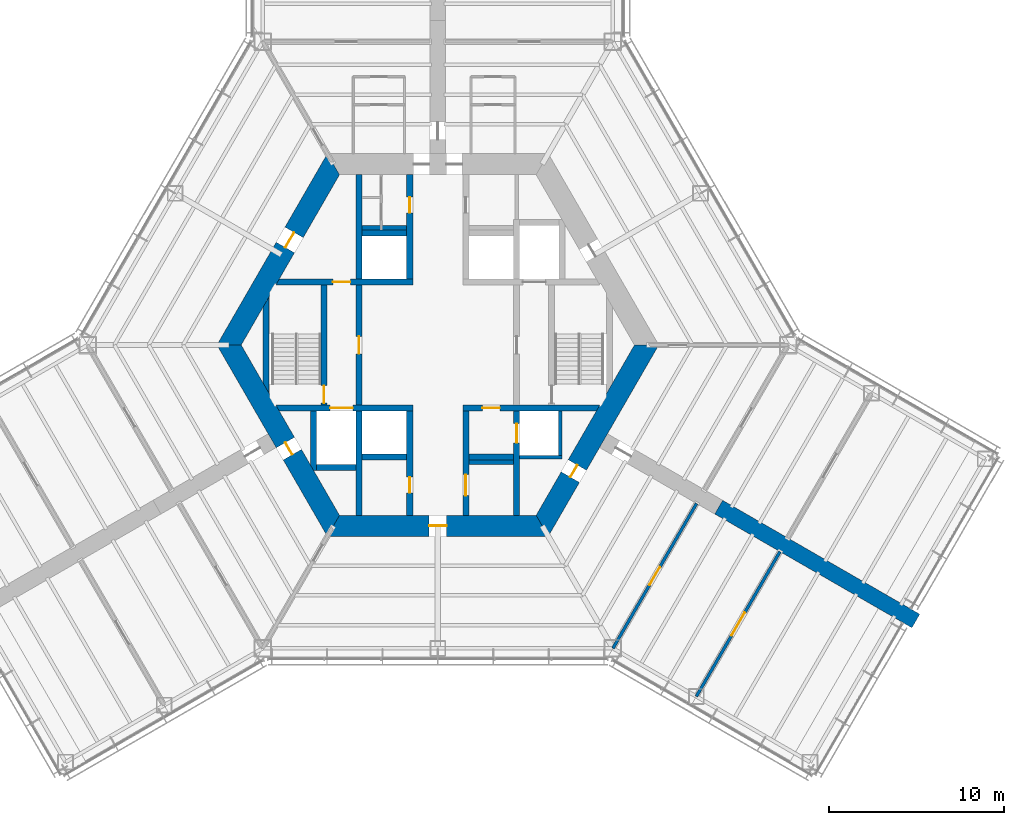
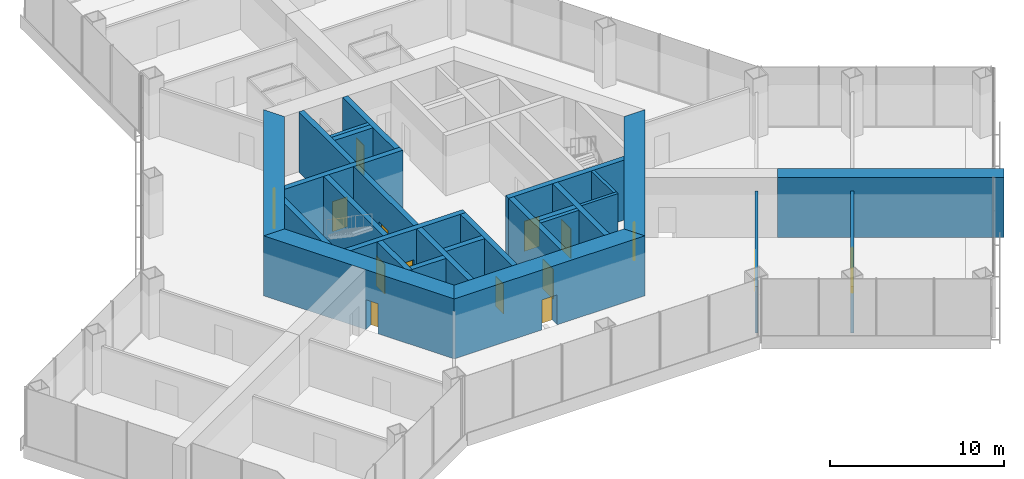
# One storey, part 11 of 15: 28 walls, 15 doors, 15 openings.
"""IFC4 building model written with IfcOpenShell, lengths in metres."""

import ifcopenshell
import ifcopenshell.guid

model = None  # the IFC model being written
_history = None  # IfcOwnerHistory: only IFC2X3 demands one
_inside = {}  # id of a spatial element -> (the spatial element, [elements in it])
_under = {}  # id of a project, library or spatial element -> (it, [spatial elements below it])
_declared = {}  # id of a project -> (the project, [libraries it declares])
_typed = {}  # id of a type object -> (the type object, [elements of that type])
_made_of = {}  # id of a material, layer set ... -> (it, [elements and type objects made of it])


def new_model(schema):
    """Start an empty IFC model of exactly this schema.

    Asked for "IFC4X3", IfcOpenShell would pick the latest addendum, in which some entities
    have other attributes; the version numbers below select the first issue.
    IFC2X3 requires an IfcOwnerHistory on every rooted entity: one is made here for all.
    """
    global model, _history
    if schema == "IFC4X3":
        model = ifcopenshell.file(schema_version=(4, 3, 0, 0))
    else:
        model = ifcopenshell.file(schema=schema)
    _inside.clear()
    _under.clear()
    _declared.clear()
    _typed.clear()
    _made_of.clear()
    _history = None
    if model.schema == "IFC2X3":
        org = make("IfcOrganization", Name="unknown")
        user = make(
            "IfcPersonAndOrganization",
            ThePerson=make("IfcPerson", FamilyName="unknown"),
            TheOrganization=org,
        )
        app = make(
            "IfcApplication",
            ApplicationDeveloper=org,
            Version="unknown",
            ApplicationFullName="unknown",
            ApplicationIdentifier="unknown",
        )
        _history = make(
            "IfcOwnerHistory",
            OwningUser=user,
            OwningApplication=app,
            ChangeAction="ADDED",
            CreationDate=0,
        )
    return model


def make(cls, **values):
    """One entity of the class cls with the attributes given. An attribute that is None is left unset."""
    return model.create_entity(
        cls, **{name: value for name, value in values.items() if value is not None}
    )


def rooted(cls, **values):
    """An entity with a GlobalId (a new one), such as an element, a storey or a relation."""
    return make(cls, GlobalId=ifcopenshell.guid.new(), OwnerHistory=_history, **values)


def si_unit(unit_type, name, prefix=None):
    """IfcSIUnit, for example si_unit("LENGTHUNIT", "METRE", prefix="MILLI")."""
    return make("IfcSIUnit", UnitType=unit_type, Prefix=prefix, Name=name)


def assignment(units):
    """IfcUnitAssignment: the units of a project."""
    return None if units is None else make("IfcUnitAssignment", Units=units)


def point(xyz):
    """IfcCartesianPoint."""
    return None if xyz is None else make("IfcCartesianPoint", Coordinates=xyz)


def direction(xyz):
    """IfcDirection."""
    return None if xyz is None else make("IfcDirection", DirectionRatios=xyz)


def frame(location, z_axis=None, x_axis=None):
    """IfcAxis2Placement3D, a coordinate frame: its origin and axes. An axis left out is left unset."""
    return make(
        "IfcAxis2Placement3D",
        Location=point(location),
        Axis=direction(z_axis),
        RefDirection=direction(x_axis),
    )


def frame_2d(location, x_axis=None):
    """IfcAxis2Placement2D, a coordinate frame in the plane: its origin and x axis."""
    return make(
        "IfcAxis2Placement2D", Location=point(location), RefDirection=direction(x_axis)
    )


def origin():
    """The frame at (0, 0, 0) with its axes left unset."""
    return frame((0.0, 0.0, 0.0))


def place(relative_to, where):
    """IfcLocalPlacement: puts the frame where relative to a parent placement (None: the world)."""
    return make(
        "IfcLocalPlacement", PlacementRelTo=relative_to, RelativePlacement=where
    )


def context(
    kind, dimensions, precision=None, world=None, true_north=None, identifier=None
):
    """IfcGeometricRepresentationContext, for example the 3D "Model" context."""
    return make(
        "IfcGeometricRepresentationContext",
        ContextIdentifier=identifier,
        ContextType=kind,
        CoordinateSpaceDimension=dimensions,
        Precision=precision,
        WorldCoordinateSystem=world,
        TrueNorth=true_north,
    )


def subcontext(parent, identifier, kind, view, scale=None):
    """IfcGeometricRepresentationSubContext, for example "Body" below "Model"."""
    return make(
        "IfcGeometricRepresentationSubContext",
        ContextIdentifier=identifier,
        ContextType=kind,
        ParentContext=parent,
        TargetScale=scale,
        TargetView=view,
    )


def project(units=None, contexts=None):
    """IfcProject with its units and contexts."""
    return rooted(
        "IfcProject",
        Name="project",
        RepresentationContexts=contexts,
        UnitsInContext=assignment(units),
    )


def spatial(cls, under=None, at=None, **own):
    """A site, building, storey or space (cls), placed at a placement, below another one or the project."""
    s = rooted(cls, ObjectPlacement=at, **own)
    if under is not None:
        _under.setdefault(under.id(), (under, []))[1].append(s)
    return s


def polyline(points):
    """IfcPolyline through the points."""
    return make("IfcPolyline", Points=[point(p) for p in points])


def profile(cls, at=None, kind="AREA", **sizes):
    """A parametric profile (cls). Its sizes go by their IFC names, for example OverallWidth=200.0."""
    return make(cls, ProfileType=kind, Position=at, **sizes)


def rectangle(**sizes):
    """IfcRectangleProfileDef."""
    return profile("IfcRectangleProfileDef", **sizes)


def outline(outer, holes=None, kind="AREA"):
    """IfcArbitraryClosedProfileDef: a profile drawn as a closed curve; with holes, ...WithVoids."""
    if holes is None:
        return make("IfcArbitraryClosedProfileDef", ProfileType=kind, OuterCurve=outer)
    return make(
        "IfcArbitraryProfileDefWithVoids",
        ProfileType=kind,
        OuterCurve=outer,
        InnerCurves=holes,
    )


def extrude(swept, where, along, depth):
    """IfcExtrudedAreaSolid: the profile swept, set in the frame where, extruded along a direction by depth."""
    return make(
        "IfcExtrudedAreaSolid",
        SweptArea=swept,
        Position=where,
        ExtrudedDirection=direction(along),
        Depth=depth,
    )


def shape(context_of_items, identifier, shape_type, items):
    """IfcShapeRepresentation: the items that make up one representation, for example the "Body"."""
    return make(
        "IfcShapeRepresentation",
        ContextOfItems=context_of_items,
        RepresentationIdentifier=identifier,
        RepresentationType=shape_type,
        Items=items,
    )


def material(Name=None, Category=None):
    """IfcMaterial."""
    return make("IfcMaterial", Name=Name, Category=Category)


def layer(
    of_material, thickness, ventilated=None, Name=None, Category=None, Priority=None
):
    """IfcMaterialLayer: one layer of a wall or slab, of a material (None: an air gap)."""
    return make(
        "IfcMaterialLayer",
        Material=of_material,
        LayerThickness=thickness,
        IsVentilated=ventilated,
        Name=Name,
        Category=Category,
        Priority=Priority,
    )


def layer_set(layers, Name=None):
    """IfcMaterialLayerSet."""
    return make("IfcMaterialLayerSet", MaterialLayers=layers, LayerSetName=Name)


def made_of(thing, what):
    """Note that an element or type object is made of a material, layer set ...; save() writes the relation."""
    if what is not None:
        _made_of.setdefault(what.id(), (what, []))[1].append(thing)
    return thing


def type_object(cls, material=None, **own):
    """A type object (cls), such as IfcWallType, which elements share."""
    return made_of(rooted(cls, **own), material)


def element(
    cls,
    number,
    at=None,
    inside=None,
    cuts=None,
    type_object=None,
    material=None,
    context=None,
    identifier="Body",
    shape_type=None,
    held_by="IfcProductDefinitionShape",
    body=None,
    shapes=None,
    **own,
):
    """One element of the class cls, such as IfcWall. Its Tag is "e" and its number.

    at: its placement. inside: the storey or other place that contains it. cuts: it is an
    opening in that element (IfcRelVoidsElement). A single representation is given by context,
    identifier, shape_type and body (its items); several are given by shapes. held_by: the class
    of the entity that holds the representations. save() writes the other relations.
    """
    e = rooted(cls, Tag="e%d" % number, ObjectPlacement=at, **own)
    if body is not None:
        shapes = [shape(context, identifier, shape_type, body)]
    if shapes is not None:
        e.Representation = make(held_by, Representations=shapes)
    if inside is not None:
        _inside.setdefault(inside.id(), (inside, []))[1].append(e)
    if cuts is not None:
        rooted(
            "IfcRelVoidsElement", RelatingBuildingElement=cuts, RelatedOpeningElement=e
        )
    if type_object is not None:
        _typed.setdefault(type_object.id(), (type_object, []))[1].append(e)
    return made_of(e, material)


def fill(opening, filler):
    """IfcRelFillsElement: the door or window that sits in an opening."""
    return rooted(
        "IfcRelFillsElement",
        RelatingOpeningElement=opening,
        RelatedBuildingElement=filler,
    )


def aggregate(whole, parts):
    """IfcRelAggregates: a whole, such as a stair, and the parts it consists of."""
    return rooted("IfcRelAggregates", RelatingObject=whole, RelatedObjects=parts)


def save(model, path):
    """Write the relations noted so far, then the file.

    IfcRelAggregates (storeys below a building ...), IfcRelContainedInSpatialStructure (elements
    in a storey), IfcRelDefinesByType, IfcRelAssociatesMaterial and IfcRelDeclares: one each for
    every whole, place, type object, material and project.
    """
    for whole, parts in _under.values():
        aggregate(whole, parts)
    for where, things in _inside.values():
        rooted(
            "IfcRelContainedInSpatialStructure",
            RelatedElements=things,
            RelatingStructure=where,
        )
    for kind, things in _typed.values():
        rooted("IfcRelDefinesByType", RelatedObjects=things, RelatingType=kind)
    for what, things in _made_of.values():
        rooted("IfcRelAssociatesMaterial", RelatedObjects=things, RelatingMaterial=what)
    for by, libraries in _declared.values():
        rooted("IfcRelDeclares", RelatingContext=by, RelatedDefinitions=libraries)
    model.write(path)


model = new_model("IFC4")

# Units and contexts
model_context = context("Model", 3, precision=1e-05, world=origin(), true_north=direction((0.0, 1.0)))
body_context = subcontext(model_context, "Body", "Model", "MODEL_VIEW")
ifc_project = project(units=[si_unit("LENGTHUNIT", "METRE"), si_unit("AREAUNIT", "SQUARE_METRE"), si_unit("VOLUMEUNIT", "CUBIC_METRE"), si_unit("PLANEANGLEUNIT", "RADIAN"), si_unit("MASSUNIT", "GRAM", prefix="KILO")], contexts=[model_context])

# Site, building, storey
site_placement = place(None, origin())
site = spatial("IfcSite", under=ifc_project, at=site_placement, CompositionType="ELEMENT")
building_placement = place(site_placement, origin())
building = spatial("IfcBuilding", under=site, at=building_placement, Name="Kasaneha Research Tower", CompositionType="ELEMENT")
storey_placement = place(building_placement, frame((0.0, 0.0, 35.199951171875)))
storey = spatial("IfcBuildingStorey", under=building, at=storey_placement, Name="L09", CompositionType="ELEMENT", Elevation=35.199951171875)

# Wall, opening, door
ifc_material_1 = material(Name="Concrete Fc100", Category="concrete")
ifc_layer_1 = layer(ifc_material_1, 0.35009765625)
ifc_layer_set_1 = layer_set([ifc_layer_1], Name="Core internal wall 350 Fc100")
wall_type_1 = type_object("IfcWallType", Name="Core internal wall 350 Fc100", PredefinedType="SHEAR", material=ifc_layer_set_1)
wall_1_placement = place(storey_placement, frame((-9.151123046875, 3.60009765625, 0.0), z_axis=(0.0, 0.0, 1.0), x_axis=(1.0, 0.0, 0.0)))
wall_1 = element("IfcWall", 1, at=wall_1_placement, inside=storey, type_object=wall_type_1, Name="Core wall W1W L09", PredefinedType="SHEAR", context=body_context, shape_type="SweptSolid", body=[
    extrude(outline(polyline([(-0.10107421875, -0.175048828125), (3.151123046875, -0.175048828125), (4.151123046875, -0.175048828125), (7.72607421875, -0.175048828125), (7.72607421875, 0.175048828125), (4.151123046875, 0.175048828125), (3.151123046875, 0.175048828125), (0.10107421875, 0.175048828125), (-0.10107421875, -0.175048828125)])), origin(), (0.0, 0.0, 1.0), 4.199951171875),
])
opening_1_placement = place(wall_1_placement, frame((3.151123046875, 0.0, 0.0)))
opening_1 = element("IfcOpeningElement", 2, at=opening_1_placement, cuts=wall_1, Name="Opening L09-D12", PredefinedType="OPENING", context=body_context, shape_type="SweptSolid", body=[
    extrude(rectangle(XDim=1.0, YDim=2.10009765625, at=frame_2d((0.5, 1.050048828125))), frame((0.0, 0.18505859375, 0.0), z_axis=(0.0, -1.0, 0.0), x_axis=(1.0, 0.0, 0.0)), (0.0, 0.0, 1.0), 0.3701171875),
])
ifc_material_2 = material(Name="Steel", Category="steel")
door_type_1 = type_object("IfcDoorType", Name="Specified fire door FD60 1000x2100", OperationType="NOTDEFINED", PredefinedType="DOOR", material=ifc_material_2)
door_1_placement = place(opening_1_placement, origin())
door_1 = element("IfcDoor", 3, at=door_1_placement, inside=storey, type_object=door_type_1, Name="Vestibule to lobby door L09-D12", OperationType="SINGLE_SWING_LEFT", OverallHeight=2.10009765625, OverallWidth=1.0, PredefinedType="DOOR", context=body_context, shape_type="SweptSolid", body=[
    extrude(rectangle(XDim=1.0, YDim=2.10009765625, at=frame_2d((0.5, 1.050048828125))), frame((0.0, 0.02490234375, 0.0), z_axis=(0.0, -1.0, 0.0), x_axis=(1.0, 0.0, 0.0)), (0.0, 0.0, 1.0), 0.050048828125),
])
fill(opening_1, door_1)

wall_2_placement = place(storey_placement, frame((-9.151123046875, -3.60009765625, 0.0), z_axis=(0.0, 0.0, 1.0), x_axis=(1.0, 0.0, 0.0)))
wall_2 = element("IfcWall", 4, at=wall_2_placement, inside=storey, type_object=wall_type_1, Name="Core wall W2W L09", PredefinedType="SHEAR", context=body_context, shape_type="SweptSolid", body=[
    extrude(outline(polyline([(0.10107421875, -0.175048828125), (3.0009765625, -0.175048828125), (4.301025390625, -0.175048828125), (7.72607421875, -0.175048828125), (7.72607421875, 0.175048828125), (4.301025390625, 0.175048828125), (3.0009765625, 0.175048828125), (-0.10107421875, 0.175048828125), (0.10107421875, -0.175048828125)])), origin(), (0.0, 0.0, 1.0), 4.199951171875),
])
opening_2_placement = place(wall_2_placement, frame((3.0009765625, 0.0, 0.0)))
opening_2 = element("IfcOpeningElement", 5, at=opening_2_placement, cuts=wall_2, Name="Opening LD-FL2-L09", PredefinedType="OPENING", context=body_context, shape_type="SweptSolid", body=[
    extrude(rectangle(XDim=1.300048828125, YDim=2.10009765625, at=frame_2d((0.64990234375, 1.050048828125))), frame((0.0, 0.18505859375, 0.0), z_axis=(0.0, -1.0, 0.0), x_axis=(1.0, 0.0, 0.0)), (0.0, 0.0, 1.0), 0.3701171875),
])
ifc_material_3 = material(Name="Steel", Category="steel")
door_type_2 = type_object("IfcDoorType", Name="Lift landing door 1300x2100", OperationType="DOUBLE_DOOR_SLIDING", PredefinedType="DOOR", material=ifc_material_3)
door_2_placement = place(opening_2_placement, origin())
door_2 = element("IfcDoor", 6, at=door_2_placement, inside=storey, type_object=door_type_2, Name="Landing door FL2 LD-FL2-L09", OperationType="DOUBLE_DOOR_SLIDING", OverallHeight=2.10009765625, OverallWidth=1.300048828125, PredefinedType="DOOR", context=body_context, shape_type="SweptSolid", body=[
    extrude(rectangle(XDim=1.300048828125, YDim=2.10009765625, at=frame_2d((0.64990234375, 1.050048828125))), frame((0.0, 0.02490234375, 0.0), z_axis=(0.0, -1.0, 0.0), x_axis=(1.0, 0.0, 0.0)), (0.0, 0.0, 1.0), 0.050048828125),
])
fill(opening_2, door_2)

wall_3_placement = place(storey_placement, frame((1.425048828125, -3.60009765625, 0.0), z_axis=(0.0, 0.0, 1.0), x_axis=(1.0, 0.0, 0.0)))
wall_3 = element("IfcWall", 7, at=wall_3_placement, inside=storey, type_object=wall_type_1, Name="Core wall W2E L09", PredefinedType="SHEAR", context=body_context, shape_type="SweptSolid", body=[
    extrude(outline(polyline([(0.0, -0.175048828125), (1.125, -0.175048828125), (2.125, -0.175048828125), (7.625, -0.175048828125), (7.8271484375, 0.175048828125), (2.125, 0.175048828125), (1.125, 0.175048828125), (0.0, 0.175048828125), (0.0, -0.175048828125)])), origin(), (0.0, 0.0, 1.0), 4.199951171875),
])
opening_3_placement = place(wall_3_placement, frame((1.125, 0.0, 0.0)))
opening_3 = element("IfcOpeningElement", 8, at=opening_3_placement, cuts=wall_3, Name="Opening L09-LV", PredefinedType="OPENING", context=body_context, shape_type="SweptSolid", body=[
    extrude(rectangle(XDim=1.0, YDim=2.10009765625, at=frame_2d((0.5, 1.050048828125))), frame((0.0, 0.18505859375, 0.0), z_axis=(0.0, -1.0, 0.0), x_axis=(1.0, 0.0, 0.0)), (0.0, 0.0, 1.0), 0.3701171875),
])
door_3_placement = place(opening_3_placement, origin())
door_3 = element("IfcDoor", 9, at=door_3_placement, inside=storey, type_object=door_type_1, Name="Podium vestibule door L09-LV", OperationType="SINGLE_SWING_LEFT", OverallHeight=2.10009765625, OverallWidth=1.0, PredefinedType="DOOR", context=body_context, shape_type="SweptSolid", body=[
    extrude(rectangle(XDim=1.0, YDim=2.10009765625, at=frame_2d((0.5, 1.050048828125))), frame((0.0, 0.02490234375, 0.0), z_axis=(0.0, -1.0, 0.0), x_axis=(1.0, 0.0, 0.0)), (0.0, 0.0, 1.0), 0.050048828125),
])
fill(opening_3, door_3)

wall_4_placement = place(storey_placement, frame((-1.60009765625, 3.77490234375, 0.0), z_axis=(0.0, 0.0, 1.0), x_axis=(0.0, 1.0, 0.0)))
wall_4 = element("IfcWall", 10, at=wall_4_placement, inside=storey, type_object=wall_type_1, Name="Core wall CNW L09", PredefinedType="SHEAR", context=body_context, shape_type="SweptSolid", body=[
    extrude(rectangle(XDim=5.9501953125, YDim=0.35009765625, at=frame_2d((2.97509765625, 0.0))), origin(), (0.0, 0.0, 1.0), 4.199951171875),
])
opening_4_placement = place(wall_4_placement, frame((3.77490234375, 0.0, 0.0)))
opening_4 = element("IfcOpeningElement", 11, at=opening_4_placement, cuts=wall_4, Name="Opening L09-D13", PredefinedType="OPENING", context=body_context, shape_type="SweptSolid", body=[
    extrude(rectangle(XDim=0.89990234375, YDim=2.10009765625, at=frame_2d((0.449951171875, 1.050048828125))), frame((0.0, 0.18505859375, 0.0), z_axis=(0.0, -1.0, 0.0), x_axis=(1.0, 0.0, 0.0)), (0.0, 0.0, 1.0), 0.3701171875),
])
ifc_material_4 = material(Name="Steel", Category="steel")
door_type_3 = type_object("IfcDoorType", Name="Toilet door FD20 900x2100", OperationType="NOTDEFINED", PredefinedType="DOOR", material=ifc_material_4)
door_4_placement = place(opening_4_placement, origin())
door_4 = element("IfcDoor", 12, at=door_4_placement, inside=storey, type_object=door_type_3, Name="Men's WC door L09-D13", OperationType="SINGLE_SWING_LEFT", OverallHeight=2.10009765625, OverallWidth=0.89990234375, PredefinedType="DOOR", context=body_context, shape_type="SweptSolid", body=[
    extrude(rectangle(XDim=0.89990234375, YDim=2.10009765625, at=frame_2d((0.449951171875, 1.050048828125))), frame((0.0, 0.02490234375, 0.0), z_axis=(0.0, -1.0, 0.0), x_axis=(1.0, 0.0, 0.0)), (0.0, 0.0, 1.0), 0.050048828125),
])
fill(opening_4, door_4)

wall_5_placement = place(storey_placement, frame((-1.60009765625, -3.77490234375, 0.0), z_axis=(0.0, 0.0, 1.0), x_axis=(0.0, -1.0, 0.0)))
wall_5 = element("IfcWall", 13, at=wall_5_placement, inside=storey, type_object=wall_type_1, Name="Core wall CSW L09", PredefinedType="SHEAR", context=body_context, shape_type="SweptSolid", body=[
    extrude(rectangle(XDim=5.9501953125, YDim=0.35009765625, at=frame_2d((2.97509765625, 0.0))), origin(), (0.0, 0.0, 1.0), 4.199951171875),
])
opening_5_placement = place(wall_5_placement, frame((3.77490234375, 0.0, 0.0)))
opening_5 = element("IfcOpeningElement", 14, at=opening_5_placement, cuts=wall_5, Name="Opening L09-D16", PredefinedType="OPENING", context=body_context, shape_type="SweptSolid", body=[
    extrude(rectangle(XDim=0.89990234375, YDim=2.10009765625, at=frame_2d((0.449951171875, 1.050048828125))), frame((0.0, 0.18505859375, 0.0), z_axis=(0.0, -1.0, 0.0), x_axis=(1.0, 0.0, 0.0)), (0.0, 0.0, 1.0), 0.3701171875),
])
ifc_material_5 = material(Name="Steel", Category="steel")
door_type_4 = type_object("IfcDoorType", Name="Riser access door FD60 900x2100", OperationType="NOTDEFINED", PredefinedType="DOOR", material=ifc_material_5)
door_5_placement = place(opening_5_placement, origin())
door_5 = element("IfcDoor", 15, at=door_5_placement, inside=storey, type_object=door_type_4, Name="Electrical riser door L09-D16", OperationType="SINGLE_SWING_LEFT", OverallHeight=2.10009765625, OverallWidth=0.89990234375, PredefinedType="DOOR", context=body_context, shape_type="SweptSolid", body=[
    extrude(rectangle(XDim=0.89990234375, YDim=2.10009765625, at=frame_2d((0.449951171875, 1.050048828125))), frame((0.0, 0.02490234375, 0.0), z_axis=(0.0, -1.0, 0.0), x_axis=(1.0, 0.0, 0.0)), (0.0, 0.0, 1.0), 0.050048828125),
])
fill(opening_5, door_5)

wall_6_placement = place(storey_placement, frame((1.60009765625, -3.77490234375, 0.0), z_axis=(0.0, 0.0, 1.0), x_axis=(0.0, -1.0, 0.0)))
wall_6 = element("IfcWall", 16, at=wall_6_placement, inside=storey, type_object=wall_type_1, Name="Core wall CSE L09", PredefinedType="SHEAR", context=body_context, shape_type="SweptSolid", body=[
    extrude(rectangle(XDim=5.9501953125, YDim=0.35009765625, at=frame_2d((2.97509765625, 0.0))), origin(), (0.0, 0.0, 1.0), 4.199951171875),
])
opening_6_placement = place(wall_6_placement, frame((3.625, 0.0, 0.0)))
opening_6 = element("IfcOpeningElement", 17, at=opening_6_placement, cuts=wall_6, Name="Opening L09-D15", PredefinedType="OPENING", context=body_context, shape_type="SweptSolid", body=[
    extrude(rectangle(XDim=1.199951171875, YDim=2.10009765625, at=frame_2d((0.60009765625, 1.050048828125))), frame((0.0, 0.18505859375, 0.0), z_axis=(0.0, -1.0, 0.0), x_axis=(1.0, 0.0, 0.0)), (0.0, 0.0, 1.0), 0.3701171875),
])
ifc_material_6 = material(Name="Steel", Category="steel")
door_type_5 = type_object("IfcDoorType", Name="Accessible toilet sliding door FD20 1200x2100", OperationType="SLIDING_TO_LEFT", PredefinedType="DOOR", material=ifc_material_6)
door_6_placement = place(opening_6_placement, origin())
door_6 = element("IfcDoor", 18, at=door_6_placement, inside=storey, type_object=door_type_5, Name="Accessible WC door L09-D15", OperationType="SLIDING_TO_LEFT", OverallHeight=2.10009765625, OverallWidth=1.199951171875, PredefinedType="DOOR", context=body_context, shape_type="SweptSolid", body=[
    extrude(rectangle(XDim=1.199951171875, YDim=2.10009765625, at=frame_2d((0.60009765625, 1.050048828125))), frame((0.0, 0.02490234375, 0.0), z_axis=(0.0, -1.0, 0.0), x_axis=(1.0, 0.0, 0.0)), (0.0, 0.0, 1.0), 0.050048828125),
])
fill(opening_6, door_6)

wall_7_placement = place(storey_placement, frame((-4.5, -3.425048828125, 0.0), z_axis=(0.0, 0.0, 1.0), x_axis=(0.0, 1.0, 0.0)))
wall_7 = element("IfcWall", 19, at=wall_7_placement, inside=storey, type_object=wall_type_1, Name="Core wall LBW L09", PredefinedType="SHEAR", context=body_context, shape_type="SweptSolid", body=[
    extrude(rectangle(XDim=6.85009765625, YDim=0.35009765625, at=frame_2d((3.425048828125, 0.0))), origin(), (0.0, 0.0, 1.0), 4.199951171875),
])
opening_7_placement = place(wall_7_placement, frame((2.925048828125, 0.0, 0.0)))
opening_7 = element("IfcOpeningElement", 20, at=opening_7_placement, cuts=wall_7, Name="Opening L09-D09", PredefinedType="OPENING", context=body_context, shape_type="SweptSolid", body=[
    extrude(rectangle(XDim=1.0, YDim=2.10009765625, at=frame_2d((0.5, 1.050048828125))), frame((0.0, 0.18505859375, 0.0), z_axis=(0.0, -1.0, 0.0), x_axis=(1.0, 0.0, 0.0)), (0.0, 0.0, 1.0), 0.3701171875),
])
door_7_placement = place(opening_7_placement, origin())
door_7 = element("IfcDoor", 21, at=door_7_placement, inside=storey, type_object=door_type_1, Name="Lift lobby door west L09-D09", OperationType="SINGLE_SWING_LEFT", OverallHeight=2.10009765625, OverallWidth=1.0, PredefinedType="DOOR", context=body_context, shape_type="SweptSolid", body=[
    extrude(rectangle(XDim=1.0, YDim=2.10009765625, at=frame_2d((0.5, 1.050048828125))), frame((0.0, 0.02490234375, 0.0), z_axis=(0.0, -1.0, 0.0), x_axis=(1.0, 0.0, 0.0)), (0.0, 0.0, 1.0), 0.050048828125),
])
fill(opening_7, door_7)

wall_8_placement = place(storey_placement, frame((-6.5, -3.425048828125, 0.0), z_axis=(0.0, 0.0, 1.0), x_axis=(0.0, 1.0, 0.0)))
wall_8 = element("IfcWall", 22, at=wall_8_placement, inside=storey, type_object=wall_type_1, Name="Core wall ANW L09", PredefinedType="SHEAR", context=body_context, shape_type="SweptSolid", body=[
    extrude(rectangle(XDim=6.85009765625, YDim=0.35009765625, at=frame_2d((3.425048828125, 0.0))), origin(), (0.0, 0.0, 1.0), 4.199951171875),
])
opening_8_placement = place(wall_8_placement, frame((0.10009765625, 0.0, 0.0)))
opening_8 = element("IfcOpeningElement", 23, at=opening_8_placement, cuts=wall_8, Name="Opening L09-D11", PredefinedType="OPENING", context=body_context, shape_type="SweptSolid", body=[
    extrude(rectangle(XDim=1.0, YDim=2.10009765625, at=frame_2d((0.5, 1.050048828125))), frame((0.0, 0.18505859375, 0.0), z_axis=(0.0, -1.0, 0.0), x_axis=(1.0, 0.0, 0.0)), (0.0, 0.0, 1.0), 0.3701171875),
])
door_8_placement = place(opening_8_placement, origin())
door_8 = element("IfcDoor", 24, at=door_8_placement, inside=storey, type_object=door_type_1, Name="Stair 2 door L09-D11", OperationType="SINGLE_SWING_LEFT", OverallHeight=2.10009765625, OverallWidth=1.0, PredefinedType="DOOR", context=body_context, shape_type="SweptSolid", body=[
    extrude(rectangle(XDim=1.0, YDim=2.10009765625, at=frame_2d((0.5, 1.050048828125))), frame((0.0, 0.02490234375, 0.0), z_axis=(0.0, -1.0, 0.0), x_axis=(1.0, 0.0, 0.0)), (0.0, 0.0, 1.0), 0.050048828125),
])
fill(opening_8, door_8)

# Walls
for number, where, z_axis, x_axis, name in (
    (25, (-4.5, 3.77490234375, 0.0), (0.0, 0.0, 1.0), (0.0, 1.0, 0.0), "Core wall VNW L09"),
    (26, (-4.5, -3.77490234375, 0.0), (0.0, 0.0, 1.0), (0.0, -1.0, 0.0), "Core wall SSW L09"),
):
    element("IfcWall", number, at=place(storey_placement, frame(where, z_axis=z_axis, x_axis=x_axis)), inside=storey, type_object=wall_type_1, Name=name, PredefinedType="SHEAR", context=body_context, shape_type="SweptSolid", body=[
        extrude(rectangle(XDim=5.9501953125, YDim=0.35009765625, at=frame_2d((2.97509765625, 0.0))), origin(), (0.0, 0.0, 1.0), 4.199951171875),
    ])

# Wall, opening, door
wall_9_placement = place(storey_placement, frame((4.5, -3.77490234375, 0.0), z_axis=(0.0, 0.0, 1.0), x_axis=(0.0, -1.0, 0.0)))
wall_9 = element("IfcWall", 27, at=wall_9_placement, inside=storey, type_object=wall_type_1, Name="Core wall SSE L09", PredefinedType="SHEAR", context=body_context, shape_type="SweptSolid", body=[
    extrude(rectangle(XDim=5.9501953125, YDim=0.35009765625, at=frame_2d((2.97509765625, 0.0))), origin(), (0.0, 0.0, 1.0), 4.199951171875),
])
opening_9_placement = place(wall_9_placement, frame((0.71240234375, 0.0, 0.0)))
opening_9 = element("IfcOpeningElement", 28, at=opening_9_placement, cuts=wall_9, Name="Opening LD-PL1-L09", PredefinedType="OPENING", context=body_context, shape_type="SweptSolid", body=[
    extrude(rectangle(XDim=1.10009765625, YDim=2.10009765625, at=frame_2d((0.550048828125, 1.050048828125))), frame((0.0, 0.18505859375, 0.0), z_axis=(0.0, -1.0, 0.0), x_axis=(1.0, 0.0, 0.0)), (0.0, 0.0, 1.0), 0.3701171875),
])
ifc_material_7 = material(Name="Steel", Category="steel")
door_type_6 = type_object("IfcDoorType", Name="Lift landing door 1100x2100", OperationType="DOUBLE_DOOR_SLIDING", PredefinedType="DOOR", material=ifc_material_7)
door_9_placement = place(opening_9_placement, origin())
door_9 = element("IfcDoor", 29, at=door_9_placement, inside=storey, type_object=door_type_6, Name="Landing door PL1 LD-PL1-L09", OperationType="DOUBLE_DOOR_SLIDING", OverallHeight=2.10009765625, OverallWidth=1.10009765625, PredefinedType="DOOR", context=body_context, shape_type="SweptSolid", body=[
    extrude(rectangle(XDim=1.10009765625, YDim=2.10009765625, at=frame_2d((0.550048828125, 1.050048828125))), frame((0.0, 0.02490234375, 0.0), z_axis=(0.0, -1.0, 0.0), x_axis=(1.0, 0.0, 0.0)), (0.0, 0.0, 1.0), 0.050048828125),
])
fill(opening_9, door_9)

# Walls
for number, where, z_axis, x_axis, name in (
    (30, (-4.324951171875, 6.39990234375, 0.0), (0.0, 0.0, 1.0), (1.0, 0.0, 0.0), "Core wall N1N L09"),
    (31, (-4.324951171875, -6.39990234375, 0.0), (0.0, 0.0, 1.0), (1.0, 0.0, 0.0), "Core wall S1S L09"),
    (32, (1.77490234375, -6.39990234375, 0.0), (0.0, 0.0, 1.0), (1.0, 0.0, 0.0), "Core wall S3S L09"),
):
    element("IfcWall", number, at=place(storey_placement, frame(where, z_axis=z_axis, x_axis=x_axis)), inside=storey, type_object=wall_type_1, Name=name, PredefinedType="SHEAR", context=body_context, shape_type="SweptSolid", body=[
        extrude(rectangle(XDim=2.550048828125, YDim=0.35009765625, at=frame_2d((1.27490234375, 0.0))), origin(), (0.0, 0.0, 1.0), 4.199951171875),
    ])
wall_10_placement = place(storey_placement, frame((-6.925048828125, -7.0, 0.0), z_axis=(0.0, 0.0, 1.0), x_axis=(1.0, 0.0, 0.0)))
element("IfcWall", 33, at=wall_10_placement, inside=storey, type_object=wall_type_1, Name="Core wall F2S L09", PredefinedType="SHEAR", context=body_context, shape_type="SweptSolid", body=[
    extrude(rectangle(XDim=2.25, YDim=0.35009765625, at=frame_2d((1.125, 0.0))), origin(), (0.0, 0.0, 1.0), 4.199951171875),
])
wall_11_placement = place(storey_placement, frame((-7.10009765625, -3.77490234375, 0.0), z_axis=(0.0, 0.0, 1.0), x_axis=(0.0, -1.0, 0.0)))
element("IfcWall", 34, at=wall_11_placement, inside=storey, type_object=wall_type_1, Name="Core wall F2W L09", PredefinedType="SHEAR", context=body_context, shape_type="SweptSolid", body=[
    extrude(outline(polyline([(0.0, -0.175048828125), (3.07421875, -0.175048828125), (3.37744140625, 0.0), (3.39990234375, 0.175048828125), (0.0, 0.175048828125), (0.0, -0.175048828125)])), origin(), (0.0, 0.0, 1.0), 4.199951171875),
])
wall_12_placement = place(storey_placement, frame((-9.807861328125, -2.462158203125, 0.0), z_axis=(0.0, 0.0, 1.0), x_axis=(0.0, 1.0, 0.0)))
element("IfcWall", 35, at=wall_12_placement, inside=storey, type_object=wall_type_1, Name="Core wall STW L09", PredefinedType="SHEAR", context=body_context, shape_type="SweptSolid", body=[
    extrude(outline(polyline([(-0.30322265625, -0.175048828125), (5.2275390625, -0.175048828125), (4.62109375, 0.175048828125), (0.30322265625, 0.175048828125), (-0.30322265625, -0.175048828125)])), origin(), (0.0, 0.0, 1.0), 4.199951171875),
])

# Wall, opening, door
ifc_material_8 = material(Name="Concrete Fc100", Category="concrete")
ifc_layer_2 = layer(ifc_material_8, 1.199951171875)
ifc_layer_set_2 = layer_set([ifc_layer_2], Name="Core wall 1200 Fc100")
wall_type_2 = type_object("IfcWallType", Name="Core wall 1200 Fc100", PredefinedType="SHEAR", material=ifc_layer_set_2)
wall_13_placement = place(storey_placement, frame((-5.961181640625, 10.324951171875, 0.0), z_axis=(0.0, 0.0, 1.0), x_axis=(-0.500004296715, -0.866022923061, 0.0)))
wall_13 = element("IfcWall", 36, at=wall_13_placement, inside=storey, type_object=wall_type_2, Name="Core wall 150 L09", PredefinedType="SHEAR", context=body_context, shape_type="SweptSolid", body=[
    extrude(outline(polyline([(-0.346435546875, -0.60009765625), (4.494140625, -0.60009765625), (5.494140625, -0.60009765625), (12.268798828125, -0.60009765625), (11.575927734375, 0.60009765625), (5.494140625, 0.60009765625), (4.494140625, 0.60009765625), (0.346435546875, 0.60009765625), (-0.346435546875, -0.60009765625)])), origin(), (0.0, 0.0, 1.0), 4.199951171875),
])
opening_10_placement = place(wall_13_placement, frame((4.494140625, 0.0, 0.0)))
opening_10 = element("IfcOpeningElement", 37, at=opening_10_placement, cuts=wall_13, Name="Opening L09-D07", PredefinedType="OPENING", context=body_context, shape_type="SweptSolid", body=[
    extrude(rectangle(XDim=1.0, YDim=2.10009765625, at=frame_2d((0.5, 1.050048828125))), frame((0.0, 0.60986328125, 0.0), z_axis=(0.0, -1.0, 0.0), x_axis=(1.0, 0.0, 0.0)), (0.0, 0.0, 1.0), 1.219970703125),
])
ifc_material_9 = material(Name="Steel", Category="steel")
door_type_7 = type_object("IfcDoorType", Name="Fire door FD20 1000x2100", OperationType="NOTDEFINED", PredefinedType="DOOR", material=ifc_material_9)
door_10_placement = place(opening_10_placement, origin())
door_10 = element("IfcDoor", 38, at=door_10_placement, inside=storey, type_object=door_type_7, Name="Vestibule door L09-D07", OperationType="SINGLE_SWING_LEFT", OverallHeight=2.10009765625, OverallWidth=1.0, PredefinedType="DOOR", context=body_context, shape_type="SweptSolid", body=[
    extrude(rectangle(XDim=1.0, YDim=2.10009765625, at=frame_2d((0.5, 1.050048828125))), frame((0.0, 0.02490234375, 0.0), z_axis=(0.0, -1.0, 0.0), x_axis=(1.0, 0.0, 0.0)), (0.0, 0.0, 1.0), 0.050048828125),
])
fill(opening_10, door_10)

wall_14_placement = place(storey_placement, frame((-11.92236328125, 0.0, 0.0), z_axis=(0.0, 0.0, 1.0), x_axis=(0.500004296715, -0.866022923061, 0.0)))
wall_14 = element("IfcWall", 39, at=wall_14_placement, inside=storey, type_object=wall_type_2, Name="Core wall 210 L09", PredefinedType="SHEAR", context=body_context, shape_type="SweptSolid", body=[
    extrude(outline(polyline([(-0.346435546875, -0.60009765625), (6.43115234375, -0.60009765625), (7.231201171875, -0.60009765625), (12.268798828125, -0.60009765625), (11.575927734375, 0.60009765625), (7.231201171875, 0.60009765625), (6.43115234375, 0.60009765625), (0.346435546875, 0.60009765625), (-0.346435546875, -0.60009765625)])), origin(), (0.0, 0.0, 1.0), 4.199951171875),
])
opening_11_placement = place(wall_14_placement, frame((6.43115234375, 0.0, 0.0)))
opening_11 = element("IfcOpeningElement", 40, at=opening_11_placement, cuts=wall_14, Name="Opening L09-D06", PredefinedType="OPENING", context=body_context, shape_type="SweptSolid", body=[
    extrude(rectangle(XDim=0.800048828125, YDim=2.10009765625, at=frame_2d((0.39990234375, 1.050048828125))), frame((0.0, 0.60986328125, 0.0), z_axis=(0.0, -1.0, 0.0), x_axis=(1.0, 0.0, 0.0)), (0.0, 0.0, 1.0), 1.219970703125),
])
ifc_material_10 = material(Name="Steel", Category="steel")
door_type_8 = type_object("IfcDoorType", Name="Riser access door FD60 800x2100", OperationType="NOTDEFINED", PredefinedType="DOOR", material=ifc_material_10)
door_11_placement = place(opening_11_placement, origin())
door_11 = element("IfcDoor", 41, at=door_11_placement, inside=storey, type_object=door_type_8, Name="Duct riser door L09-D06", OperationType="SINGLE_SWING_RIGHT", OverallHeight=2.10009765625, OverallWidth=0.800048828125, PredefinedType="DOOR", context=body_context, shape_type="SweptSolid", body=[
    extrude(rectangle(XDim=0.800048828125, YDim=2.10009765625, at=frame_2d((0.39990234375, 1.050048828125))), frame((0.0, 0.02490234375, 0.0), z_axis=(0.0, -1.0, 0.0), x_axis=(1.0, 0.0, 0.0)), (0.0, 0.0, 1.0), 0.050048828125),
])
fill(opening_11, door_11)

wall_15_placement = place(storey_placement, frame((-5.961181640625, -10.324951171875, 0.0), z_axis=(0.0, 0.0, 1.0), x_axis=(1.0, 0.0, 0.0)))
wall_15 = element("IfcWall", 42, at=wall_15_placement, inside=storey, type_object=wall_type_2, Name="Core wall 270 L09", PredefinedType="SHEAR", context=body_context, shape_type="SweptSolid", body=[
    extrude(outline(polyline([(-0.346435546875, -0.60009765625), (5.461181640625, -0.60009765625), (6.461181640625, -0.60009765625), (12.268798828125, -0.60009765625), (11.575927734375, 0.60009765625), (6.461181640625, 0.60009765625), (5.461181640625, 0.60009765625), (0.346435546875, 0.60009765625), (-0.346435546875, -0.60009765625)])), origin(), (0.0, 0.0, 1.0), 4.199951171875),
])
opening_12_placement = place(wall_15_placement, frame((5.461181640625, 0.0, 0.0)))
opening_12 = element("IfcOpeningElement", 43, at=opening_12_placement, cuts=wall_15, Name="Opening L09-D03", PredefinedType="OPENING", context=body_context, shape_type="SweptSolid", body=[
    extrude(rectangle(XDim=1.0, YDim=2.10009765625, at=frame_2d((0.5, 1.050048828125))), frame((0.0, 0.60986328125, 0.0), z_axis=(0.0, -1.0, 0.0), x_axis=(1.0, 0.0, 0.0)), (0.0, 0.0, 1.0), 1.219970703125),
])
door_12_placement = place(opening_12_placement, origin())
door_12 = element("IfcDoor", 44, at=door_12_placement, inside=storey, type_object=door_type_7, Name="Core door south L09-D03", OperationType="SINGLE_SWING_LEFT", OverallHeight=2.10009765625, OverallWidth=1.0, PredefinedType="DOOR", context=body_context, shape_type="SweptSolid", body=[
    extrude(rectangle(XDim=1.0, YDim=2.10009765625, at=frame_2d((0.5, 1.050048828125))), frame((0.0, 0.02490234375, 0.0), z_axis=(0.0, -1.0, 0.0), x_axis=(1.0, 0.0, 0.0)), (0.0, 0.0, 1.0), 0.050048828125),
])
fill(opening_12, door_12)

wall_16_placement = place(storey_placement, frame((5.961181640625, -10.324951171875, 0.0), z_axis=(0.0, 0.0, 1.0), x_axis=(0.500004296715, 0.866022923061, 0.0)))
wall_16 = element("IfcWall", 45, at=wall_16_placement, inside=storey, type_object=wall_type_2, Name="Core wall 330 L09", PredefinedType="SHEAR", context=body_context, shape_type="SweptSolid", body=[
    extrude(outline(polyline([(-0.346435546875, -0.60009765625), (3.20849609375, -0.60009765625), (4.008544921875, -0.60009765625), (12.268798828125, -0.60009765625), (11.575927734375, 0.60009765625), (4.008544921875, 0.60009765625), (3.20849609375, 0.60009765625), (0.346435546875, 0.60009765625), (-0.346435546875, -0.60009765625)])), origin(), (0.0, 0.0, 1.0), 4.199951171875),
])
opening_13_placement = place(wall_16_placement, frame((3.20849609375, 0.0, 0.0)))
opening_13 = element("IfcOpeningElement", 46, at=opening_13_placement, cuts=wall_16, Name="Opening L09-D05", PredefinedType="OPENING", context=body_context, shape_type="SweptSolid", body=[
    extrude(rectangle(XDim=0.800048828125, YDim=2.10009765625, at=frame_2d((0.39990234375, 1.050048828125))), frame((0.0, 0.60986328125, 0.0), z_axis=(0.0, -1.0, 0.0), x_axis=(1.0, 0.0, 0.0)), (0.0, 0.0, 1.0), 1.219970703125),
])
door_13_placement = place(opening_13_placement, origin())
door_13 = element("IfcDoor", 47, at=door_13_placement, inside=storey, type_object=door_type_8, Name="Pipe riser door L09-D05", OperationType="SINGLE_SWING_LEFT", OverallHeight=2.10009765625, OverallWidth=0.800048828125, PredefinedType="DOOR", context=body_context, shape_type="SweptSolid", body=[
    extrude(rectangle(XDim=0.800048828125, YDim=2.10009765625, at=frame_2d((0.39990234375, 1.050048828125))), frame((0.0, 0.02490234375, 0.0), z_axis=(0.0, -1.0, 0.0), x_axis=(1.0, 0.0, 0.0)), (0.0, 0.0, 1.0), 0.050048828125),
])
fill(opening_13, door_13)

ifc_material_11 = material(Name="Gypsum board on steel studs, two layers each side", Category="steel")
ifc_layer_3 = layer(ifc_material_11, 0.175048828125)
ifc_layer_set_3 = layer_set([ifc_layer_3], Name="Laboratory fire partition 175")
wall_type_3 = type_object("IfcWallType", Name="Laboratory fire partition 175", PredefinedType="PARTITIONING", material=ifc_layer_set_3)
wall_17_placement = place(storey_placement, frame((14.77490234375, -9.050048828125, 0.0), z_axis=(0.0, 0.0, 1.0), x_axis=(-0.499993908199, -0.866028920859, 0.0)))
wall_17 = element("IfcWall", 48, at=wall_17_placement, inside=storey, type_object=wall_type_3, Name="Laboratory fire partition LABC-S L09", PredefinedType="PARTITIONING", context=body_context, shape_type="SweptSolid", body=[
    extrude(rectangle(XDim=9.5498046875, YDim=0.175048828125, at=frame_2d((4.77490234375, 0.0))), origin(), (0.0, 0.0, 1.0), 3.238037109375),
])
opening_14_placement = place(wall_17_placement, frame((4.175048828125, 0.0, 0.0)))
opening_14 = element("IfcOpeningElement", 49, at=opening_14_placement, cuts=wall_17, Name="Opening L09-D39", PredefinedType="OPENING", context=body_context, shape_type="SweptSolid", body=[
    extrude(rectangle(XDim=1.199951171875, YDim=2.10009765625, at=frame_2d((0.60009765625, 1.050048828125))), frame((0.0, 0.09765625, 0.0), z_axis=(0.0, -1.0, 0.0), x_axis=(1.0, 0.0, 0.0)), (0.0, 0.0, 1.0), 0.195068359375),
])
ifc_material_12 = material(Name="Steel", Category="steel")
door_type_9 = type_object("IfcDoorType", Name="Laboratory door FD60 1200x2100", OperationType="DOUBLE_DOOR_SINGLE_SWING", PredefinedType="DOOR", material=ifc_material_12)
door_14_placement = place(opening_14_placement, origin())
door_14 = element("IfcDoor", 50, at=door_14_placement, inside=storey, type_object=door_type_9, Name="Laboratory door L09-D39", OperationType="DOUBLE_DOOR_SINGLE_SWING", OverallHeight=2.10009765625, OverallWidth=1.199951171875, PredefinedType="DOOR", context=body_context, shape_type="SweptSolid", body=[
    extrude(rectangle(XDim=1.199951171875, YDim=2.10009765625, at=frame_2d((0.60009765625, 1.050048828125))), frame((0.0, 0.02490234375, 0.0), z_axis=(0.0, -1.0, 0.0), x_axis=(1.0, 0.0, 0.0)), (0.0, 0.0, 1.0), 0.050048828125),
])
fill(opening_14, door_14)

wall_18_placement = place(storey_placement, frame((19.5380859375, -11.800048828125, 0.0), z_axis=(0.0, 0.0, 1.0), x_axis=(-0.499993908199, -0.866028920859, 0.0)))
wall_18 = element("IfcWall", 51, at=wall_18_placement, inside=storey, type_object=wall_type_3, Name="Laboratory fire partition INSC-S L09", PredefinedType="PARTITIONING", context=body_context, shape_type="SweptSolid", body=[
    extrude(rectangle(XDim=9.5498046875, YDim=0.175048828125, at=frame_2d((4.77490234375, 0.0))), origin(), (0.0, 0.0, 1.0), 3.22998046875),
])
opening_15_placement = place(wall_18_placement, frame((4.02490234375, 0.0, 0.0)))
opening_15 = element("IfcOpeningElement", 52, at=opening_15_placement, cuts=wall_18, Name="Opening L09-D40", PredefinedType="OPENING", context=body_context, shape_type="SweptSolid", body=[
    extrude(rectangle(XDim=1.5, YDim=2.10009765625, at=frame_2d((0.75, 1.050048828125))), frame((0.0, 0.09765625, 0.0), z_axis=(0.0, -1.0, 0.0), x_axis=(1.0, 0.0, 0.0)), (0.0, 0.0, 1.0), 0.195068359375),
])
ifc_material_13 = material(Name="Steel", Category="steel")
door_type_10 = type_object("IfcDoorType", Name="Laboratory door FD60 1500x2100", OperationType="DOUBLE_DOOR_SINGLE_SWING", PredefinedType="DOOR", material=ifc_material_13)
door_15_placement = place(opening_15_placement, origin())
door_15 = element("IfcDoor", 53, at=door_15_placement, inside=storey, type_object=door_type_10, Name="Instrument room door L09-D40", OperationType="DOUBLE_DOOR_SINGLE_SWING", OverallHeight=2.10009765625, OverallWidth=1.5, PredefinedType="DOOR", context=body_context, shape_type="SweptSolid", body=[
    extrude(rectangle(XDim=1.5, YDim=2.10009765625, at=frame_2d((0.75, 1.050048828125))), frame((0.0, 0.02490234375, 0.0), z_axis=(0.0, -1.0, 0.0), x_axis=(1.0, 0.0, 0.0)), (0.0, 0.0, 1.0), 0.050048828125),
])
fill(opening_15, door_15)

# Walls
ifc_material_14 = material(Name="Concrete block", Category="concrete")
ifc_layer_4 = layer(ifc_material_14, 0.199951171875)
ifc_layer_set_4 = layer_set([ifc_layer_4], Name="Lift shaft wall 200")
wall_type_4 = type_object("IfcWallType", Name="Lift shaft wall 200", PredefinedType="STANDARD", material=ifc_layer_set_4)
wall_19_placement = place(storey_placement, frame((4.675048828125, -6.39990234375, 0.0), z_axis=(0.0, 0.0, 1.0), x_axis=(1.0, 0.0, 0.0)))
element("IfcWall", 54, at=wall_19_placement, inside=storey, type_object=wall_type_4, Name="Lift shaft wall P1S L09", PredefinedType="STANDARD", context=body_context, shape_type="SweptSolid", body=[
    extrude(rectangle(XDim=2.425048828125, YDim=0.199951171875, at=frame_2d((1.21240234375, 0.0))), origin(), (0.0, 0.0, 1.0), 4.199951171875),
])
wall_20_placement = place(storey_placement, frame((7.0, -3.77490234375, 0.0), z_axis=(0.0, 0.0, 1.0), x_axis=(0.0, -1.0, 0.0)))
element("IfcWall", 55, at=wall_20_placement, inside=storey, type_object=wall_type_4, Name="Lift shaft wall P1E L09", PredefinedType="STANDARD", context=body_context, shape_type="SweptSolid", body=[
    extrude(rectangle(XDim=2.525146484375, YDim=0.199951171875, at=frame_2d((1.2626953125, 0.0))), origin(), (0.0, 0.0, 1.0), 4.199951171875),
])
ifc_material_15 = material(Name="Concrete Fc100", Category="concrete")
ifc_layer_5 = layer(ifc_material_15, 0.89990234375)
ifc_layer_set_5 = layer_set([ifc_layer_5], Name="Spine wall 900 Fc100")
wall_type_5 = type_object("IfcWallType", Name="Spine wall 900 Fc100", PredefinedType="SHEAR", material=ifc_layer_set_5)
wall_21_placement = place(storey_placement, frame((16.039306640625, -9.26025390625, 0.0), z_axis=(0.0, 0.0, 1.0), x_axis=(0.866024837091, -0.50000098154, 0.0)))
element("IfcWall", 56, at=wall_21_placement, inside=storey, type_object=wall_type_5, Name="Spine wall C wing L09", PredefinedType="SHEAR", context=body_context, shape_type="SweptSolid", body=[
    extrude(rectangle(XDim=13.0, YDim=0.89990234375, at=frame_2d((6.5, 0.0))), origin(), (0.0, 0.0, 1.0), 4.199951171875),
])
ifc_material_16 = material(Name="Concrete block lining", Category="concrete")
ifc_layer_6 = layer(ifc_material_16, 0.25)
ifc_layer_set_6 = layer_set([ifc_layer_6], Name="WC plumbing wall 250")
wall_type_6 = type_object("IfcWallType", Name="WC plumbing wall 250", PredefinedType="PLUMBINGWALL", material=ifc_layer_set_6)
for number, where, z_axis, x_axis, name in (
    (57, (-4.324951171875, 6.699951171875, 0.0), (0.0, 0.0, 1.0), (1.0, 0.0, 0.0), "WC plumbing wall M L09"),
    (58, (1.77490234375, -6.699951171875, 0.0), (0.0, 0.0, 1.0), (1.0, 0.0, 0.0), "WC plumbing wall A L09"),
):
    element("IfcWall", number, at=place(storey_placement, frame(where, z_axis=z_axis, x_axis=x_axis)), inside=storey, type_object=wall_type_6, Name=name, PredefinedType="PLUMBINGWALL", context=body_context, shape_type="SweptSolid", body=[
        extrude(rectangle(XDim=2.550048828125, YDim=0.25, at=frame_2d((1.27490234375, 0.0))), origin(), (0.0, 0.0, 1.0), 4.199951171875),
    ])

save(model, "model.ifc")
